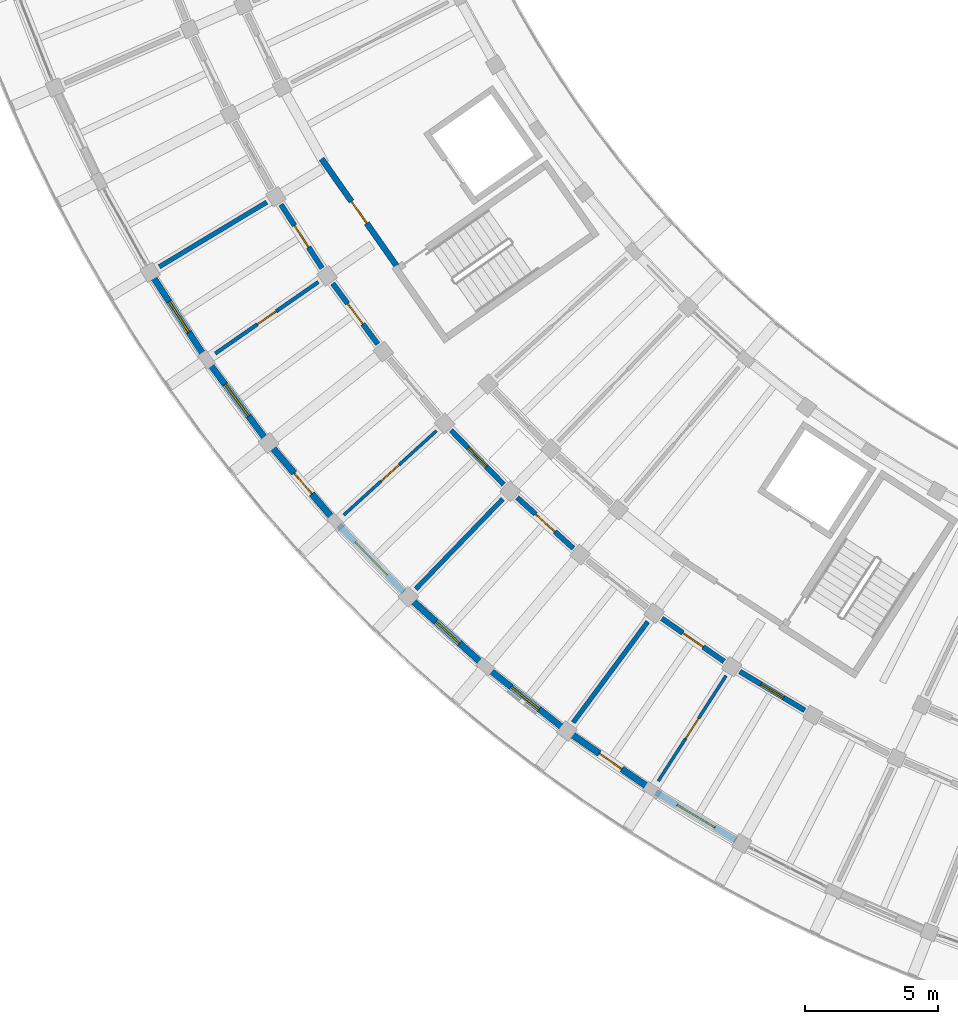
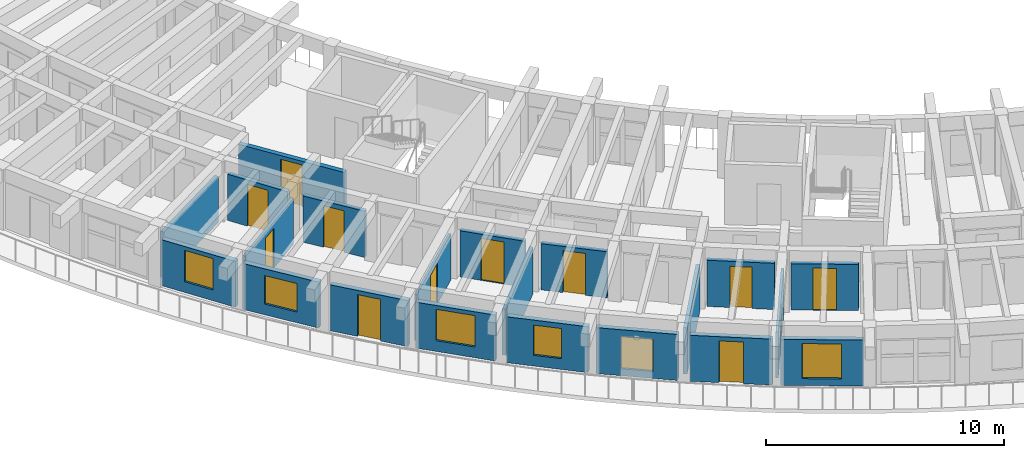
# One storey, part 54 of 96: 21 walls, 12 doors, 6 windows, 18 openings.
"""IFC4 building model written with IfcOpenShell, lengths in metres."""

from ifc_helpers import new_model, si_unit, direction, frame, frame_2d, origin, place, context, subcontext, project, spatial, rectangle, extrude, material, layer, layer_set, type_object, element, fill, save


model = new_model("IFC4")

# Units and contexts
model_context = context("Model", 3, precision=1e-05, world=origin(), true_north=direction((0.0, 1.0)))
body_context = subcontext(model_context, "Body", "Model", "MODEL_VIEW")
ifc_project = project(units=[si_unit("LENGTHUNIT", "METRE"), si_unit("AREAUNIT", "SQUARE_METRE"), si_unit("VOLUMEUNIT", "CUBIC_METRE"), si_unit("PLANEANGLEUNIT", "RADIAN"), si_unit("MASSUNIT", "GRAM", prefix="KILO")], contexts=[model_context])

# Site, building, storey
site_placement = place(None, origin())
site = spatial("IfcSite", under=ifc_project, at=site_placement, CompositionType="ELEMENT")
building_placement = place(site_placement, origin())
building = spatial("IfcBuilding", under=site, at=building_placement, Name="Tanwirah Colonnade Gardens", CompositionType="ELEMENT")
storey_placement = place(building_placement, frame((0.0, 0.0, 12.199951171875)))
storey = spatial("IfcBuildingStorey", under=building, at=storey_placement, Name="L03", CompositionType="ELEMENT", Elevation=12.199951171875)

# Wall, opening, window
ifc_material_1 = material(Name="Limestone architectural precast concrete C40/50", Category="masonry")
ifc_layer_1 = layer(ifc_material_1, 0.2451171875)
ifc_layer_set_1 = layer_set([ifc_layer_1], Name="Limestone architectural precast concrete C40/50")
wall_type_1 = type_object("IfcWallType", Name="EW-PC245", PredefinedType="SOLIDWALL", material=ifc_layer_set_1)
wall_1_placement = place(storey_placement, frame((14.09130859375, 33.61962890625, 0.0), z_axis=(0.0, 0.0, 1.0), x_axis=(0.542833164741, -0.839840553472, 0.0)))
wall_1 = element("IfcWall", 1, at=wall_1_placement, inside=storey, type_object=wall_type_1, Name="Block C L03 OUT Precast Facade Wall 4", PredefinedType="SOLIDWALL", context=body_context, shape_type="SweptSolid", body=[
    extrude(rectangle(XDim=3.48681640625, YDim=0.2451171875, at=frame_2d((1.743408203125, 0.0))), origin(), (0.0, 0.0, 1.0), 2.35498046875),
])
opening_1_placement = place(wall_1_placement, frame((1.0634765625, 0.0, 0.550048828125)))
opening_1 = element("IfcOpeningElement", 2, at=opening_1_placement, cuts=wall_1, Name="Opening WIN-U06", PredefinedType="OPENING", context=body_context, shape_type="SweptSolid", body=[
    extrude(rectangle(XDim=1.360107421875, YDim=1.610107421875, at=frame_2d((0.68017578125, 0.80517578125))), frame((0.0, 0.132568359375, 0.0), z_axis=(0.0, -1.0, 0.0), x_axis=(1.0, 0.0, 0.0)), (0.0, 0.0, 1.0), 0.26513671875),
])
ifc_material_2 = material(Name="Thermally broken bronze aluminium and solar low-E double glazing", Category="aluminium")
window_type_1 = type_object("IfcWindowType", Name="WIN-U06", PartitioningType="DOUBLE_PANEL_VERTICAL", PredefinedType="WINDOW", material=ifc_material_2)
window_1_placement = place(opening_1_placement, origin())
window_1 = element("IfcWindow", 3, at=window_1_placement, inside=storey, type_object=window_type_1, Name="Facade window C-L03-OUT-04", OverallHeight=1.610107421875, OverallWidth=1.360107421875, PartitioningType="SINGLE_PANEL", PredefinedType="WINDOW", context=body_context, shape_type="SweptSolid", body=[
    extrude(rectangle(XDim=1.360107421875, YDim=1.610107421875, at=frame_2d((0.68017578125, 0.80517578125))), frame((0.0, 0.030029296875, 0.0), z_axis=(0.0, -1.0, 0.0), x_axis=(1.0, 0.0, 0.0)), (0.0, 0.0, 1.0), 0.06005859375),
])
fill(opening_1, window_1)

wall_2_placement = place(storey_placement, frame((16.166259765625, 30.42822265625, 0.0), z_axis=(0.0, 0.0, 1.0), x_axis=(0.596611432616, -0.802530247699, 0.0)))
wall_2 = element("IfcWall", 4, at=wall_2_placement, inside=storey, type_object=wall_type_1, Name="Block C L03 OUT Precast Facade Wall 5", PredefinedType="SOLIDWALL", context=body_context, shape_type="SweptSolid", body=[
    extrude(rectangle(XDim=3.48681640625, YDim=0.2451171875, at=frame_2d((1.743408203125, 0.0))), origin(), (0.0, 0.0, 1.0), 2.35498046875),
])
opening_2_placement = place(wall_2_placement, frame((1.00341796875, 0.0, 0.550048828125)))
opening_2 = element("IfcOpeningElement", 5, at=opening_2_placement, cuts=wall_2, Name="Opening WIN-U09", PredefinedType="OPENING", context=body_context, shape_type="SweptSolid", body=[
    extrude(rectangle(XDim=1.47998046875, YDim=1.4599609375, at=frame_2d((0.739990234375, 0.72998046875))), frame((0.0, 0.132568359375, 0.0), z_axis=(0.0, -1.0, 0.0), x_axis=(1.0, 0.0, 0.0)), (0.0, 0.0, 1.0), 0.26513671875),
])
window_type_2 = type_object("IfcWindowType", Name="WIN-U09", PartitioningType="DOUBLE_PANEL_VERTICAL", PredefinedType="WINDOW", material=ifc_material_2)
window_2_placement = place(opening_2_placement, origin())
window_2 = element("IfcWindow", 6, at=window_2_placement, inside=storey, type_object=window_type_2, Name="Facade window C-L03-OUT-05", OverallHeight=1.4599609375, OverallWidth=1.47998046875, PartitioningType="SINGLE_PANEL", PredefinedType="WINDOW", context=body_context, shape_type="SweptSolid", body=[
    extrude(rectangle(XDim=1.47998046875, YDim=1.4599609375, at=frame_2d((0.739990234375, 0.72998046875))), frame((0.0, 0.030029296875, 0.0), z_axis=(0.0, -1.0, 0.0), x_axis=(1.0, 0.0, 0.0)), (0.0, 0.0, 1.0), 0.06005859375),
])
fill(opening_2, window_2)

# Wall, opening, door
wall_3_placement = place(storey_placement, frame((18.5576171875, 27.23876953125, 0.0), z_axis=(0.0, 0.0, 1.0), x_axis=(0.647811002696, -0.761801092665, 0.0)))
wall_3 = element("IfcWall", 7, at=wall_3_placement, inside=storey, type_object=wall_type_1, Name="Block C L03 OUT Precast Facade Wall 6", PredefinedType="SOLIDWALL", context=body_context, shape_type="SweptSolid", body=[
    extrude(rectangle(XDim=3.48681640625, YDim=0.2451171875, at=frame_2d((1.743408203125, 0.0))), origin(), (0.0, 0.0, 1.0), 2.35498046875),
])
opening_3_placement = place(wall_3_placement, frame((1.2333984375, 0.0, 0.0)))
opening_3 = element("IfcOpeningElement", 8, at=opening_3_placement, cuts=wall_3, Name="Opening L03-ED140", PredefinedType="OPENING", context=body_context, shape_type="SweptSolid", body=[
    extrude(rectangle(XDim=1.02001953125, YDim=2.139892578125, at=frame_2d((0.510009765625, 1.06982421875))), frame((0.0, 0.132568359375, 0.0), z_axis=(0.0, -1.0, 0.0), x_axis=(1.0, 0.0, 0.0)), (0.0, 0.0, 1.0), 0.26513671875),
])
ifc_material_3 = material(Name="Bronze aluminium glazed balcony door", Category="aluminium")
door_type_1 = type_object("IfcDoorType", Name="ED-BAL102", OperationType="NOTDEFINED", PredefinedType="DOOR", material=ifc_material_3)
door_1_placement = place(opening_3_placement, origin())
door_1 = element("IfcDoor", 9, at=door_1_placement, inside=storey, type_object=door_type_1, Name="Balcony glazed door L03-ED140", OperationType="SINGLE_SWING_RIGHT", OverallHeight=2.139892578125, OverallWidth=1.02001953125, PredefinedType="DOOR", context=body_context, shape_type="SweptSolid", body=[
    extrude(rectangle(XDim=1.02001953125, YDim=2.139892578125, at=frame_2d((0.510009765625, 1.06982421875))), frame((0.0, 0.02490234375, 0.0), z_axis=(0.0, -1.0, 0.0), x_axis=(1.0, 0.0, 0.0)), (0.0, 0.0, 1.0), 0.050048828125),
])
fill(opening_3, door_1)

# Wall, opening, window
wall_4_placement = place(storey_placement, frame((21.031494140625, 24.345703125, 0.0), z_axis=(0.0, 0.0, 1.0), x_axis=(0.696205978342, -0.717842068788, 0.0)))
wall_4 = element("IfcWall", 10, at=wall_4_placement, inside=storey, type_object=wall_type_1, Name="Block C L03 OUT Precast Facade Wall 7", PredefinedType="SOLIDWALL", context=body_context, shape_type="SweptSolid", body=[
    extrude(rectangle(XDim=3.48681640625, YDim=0.2451171875, at=frame_2d((1.743408203125, 0.0))), origin(), (0.0, 0.0, 1.0), 2.35498046875),
])
opening_4_placement = place(wall_4_placement, frame((0.88330078125, 0.0, 0.550048828125)))
opening_4 = element("IfcOpeningElement", 11, at=opening_4_placement, cuts=wall_4, Name="Opening WIN-U15", PredefinedType="OPENING", context=body_context, shape_type="SweptSolid", body=[
    extrude(rectangle(XDim=1.719970703125, YDim=1.610107421875, at=frame_2d((0.85986328125, 0.80517578125))), frame((0.0, 0.132568359375, 0.0), z_axis=(0.0, -1.0, 0.0), x_axis=(1.0, 0.0, 0.0)), (0.0, 0.0, 1.0), 0.26513671875),
])
window_type_3 = type_object("IfcWindowType", Name="WIN-U15", PartitioningType="DOUBLE_PANEL_VERTICAL", PredefinedType="WINDOW", material=ifc_material_2)
window_3_placement = place(opening_4_placement, origin())
window_3 = element("IfcWindow", 12, at=window_3_placement, inside=storey, type_object=window_type_3, Name="Facade window C-L03-OUT-07", OverallHeight=1.610107421875, OverallWidth=1.719970703125, PartitioningType="SINGLE_PANEL", PredefinedType="WINDOW", context=body_context, shape_type="SweptSolid", body=[
    extrude(rectangle(XDim=1.719970703125, YDim=1.610107421875, at=frame_2d((0.85986328125, 0.80517578125))), frame((0.0, 0.030029296875, 0.0), z_axis=(0.0, -1.0, 0.0), x_axis=(1.0, 0.0, 0.0)), (0.0, 0.0, 1.0), 0.06005859375),
])
fill(opening_4, window_3)

wall_5_placement = place(storey_placement, frame((23.818603515625, 21.49560546875, 0.0), z_axis=(0.0, 0.0, 1.0), x_axis=(0.741648568445, -0.670788641022, 0.0)))
wall_5 = element("IfcWall", 13, at=wall_5_placement, inside=storey, type_object=wall_type_1, Name="Block C L03 OUT Precast Facade Wall 8", PredefinedType="SOLIDWALL", context=body_context, shape_type="SweptSolid", body=[
    extrude(rectangle(XDim=3.48681640625, YDim=0.2451171875, at=frame_2d((1.743408203125, 0.0))), origin(), (0.0, 0.0, 1.0), 2.35498046875),
])
opening_5_placement = place(wall_5_placement, frame((1.143310546875, 0.0, 0.550048828125)))
opening_5 = element("IfcOpeningElement", 14, at=opening_5_placement, cuts=wall_5, Name="Opening WIN-T02", PredefinedType="OPENING", context=body_context, shape_type="SweptSolid", body=[
    extrude(rectangle(XDim=1.199951171875, YDim=1.550048828125, at=frame_2d((0.60009765625, 0.77490234375))), frame((0.0, 0.132568359375, 0.0), z_axis=(0.0, -1.0, 0.0), x_axis=(1.0, 0.0, 0.0)), (0.0, 0.0, 1.0), 0.26513671875),
])
window_type_4 = type_object("IfcWindowType", Name="WIN-T02", PartitioningType="SINGLE_PANEL", PredefinedType="WINDOW", material=ifc_material_2)
window_4_placement = place(opening_5_placement, origin())
window_4 = element("IfcWindow", 15, at=window_4_placement, inside=storey, type_object=window_type_4, Name="Facade window C-L03-OUT-08", OverallHeight=1.550048828125, OverallWidth=1.199951171875, PartitioningType="SINGLE_PANEL", PredefinedType="WINDOW", context=body_context, shape_type="SweptSolid", body=[
    extrude(rectangle(XDim=1.199951171875, YDim=1.550048828125, at=frame_2d((0.60009765625, 0.77490234375))), frame((0.0, 0.030029296875, 0.0), z_axis=(0.0, -1.0, 0.0), x_axis=(1.0, 0.0, 0.0)), (0.0, 0.0, 1.0), 0.06005859375),
])
fill(opening_5, window_4)

wall_6_placement = place(storey_placement, frame((26.648681640625, 18.9501953125, 0.0), z_axis=(0.0, 0.0, 1.0), x_axis=(0.78398760997, -0.620776471376, 0.0)))
wall_6 = element("IfcWall", 16, at=wall_6_placement, inside=storey, type_object=wall_type_1, Name="Block C L03 OUT Precast Facade Wall 9", PredefinedType="SOLIDWALL", context=body_context, shape_type="SweptSolid", body=[
    extrude(rectangle(XDim=3.48681640625, YDim=0.2451171875, at=frame_2d((1.743408203125, 0.0))), origin(), (0.0, 0.0, 1.0), 2.35498046875),
])
opening_6_placement = place(wall_6_placement, frame((1.068359375, 0.0, 0.35009765625)))
opening_6 = element("IfcOpeningElement", 17, at=opening_6_placement, cuts=wall_6, Name="Opening WIN-T05", PredefinedType="OPENING", context=body_context, shape_type="SweptSolid", body=[
    extrude(rectangle(XDim=1.35009765625, YDim=1.64990234375, at=frame_2d((0.675048828125, 0.824951171875))), frame((0.0, 0.132568359375, 0.0), z_axis=(0.0, -1.0, 0.0), x_axis=(1.0, 0.0, 0.0)), (0.0, 0.0, 1.0), 0.26513671875),
])
window_type_5 = type_object("IfcWindowType", Name="WIN-T05", PartitioningType="DOUBLE_PANEL_VERTICAL", PredefinedType="WINDOW", material=ifc_material_2)
window_5_placement = place(opening_6_placement, origin())
window_5 = element("IfcWindow", 18, at=window_5_placement, inside=storey, type_object=window_type_5, Name="Facade window C-L03-OUT-09", OverallHeight=1.64990234375, OverallWidth=1.35009765625, PartitioningType="SINGLE_PANEL", PredefinedType="WINDOW", context=body_context, shape_type="SweptSolid", body=[
    extrude(rectangle(XDim=1.35009765625, YDim=1.64990234375, at=frame_2d((0.675048828125, 0.824951171875))), frame((0.0, 0.030029296875, 0.0), z_axis=(0.0, -1.0, 0.0), x_axis=(1.0, 0.0, 0.0)), (0.0, 0.0, 1.0), 0.06005859375),
])
fill(opening_6, window_5)

# Wall, opening, door
wall_7_placement = place(storey_placement, frame((29.783935546875, 16.48828125, 0.0), z_axis=(0.0, 0.0, 1.0), x_axis=(0.822902356734, -0.568182815017, 0.0)))
wall_7 = element("IfcWall", 19, at=wall_7_placement, inside=storey, type_object=wall_type_1, Name="Block C L03 OUT Precast Facade Wall 10", PredefinedType="SOLIDWALL", context=body_context, shape_type="SweptSolid", body=[
    extrude(rectangle(XDim=3.48681640625, YDim=0.2451171875, at=frame_2d((1.743408203125, 0.0))), origin(), (0.0, 0.0, 1.0), 2.35498046875),
])
opening_7_placement = place(wall_7_placement, frame((1.2333984375, 0.0, 0.0)))
opening_7 = element("IfcOpeningElement", 20, at=opening_7_placement, cuts=wall_7, Name="Opening L03-ED141", PredefinedType="OPENING", context=body_context, shape_type="SweptSolid", body=[
    extrude(rectangle(XDim=1.02001953125, YDim=2.139892578125, at=frame_2d((0.510009765625, 1.06982421875))), frame((0.0, 0.132568359375, 0.0), z_axis=(0.0, -1.0, 0.0), x_axis=(1.0, 0.0, 0.0)), (0.0, 0.0, 1.0), 0.26513671875),
])
door_2_placement = place(opening_7_placement, origin())
door_2 = element("IfcDoor", 21, at=door_2_placement, inside=storey, type_object=door_type_1, Name="Balcony glazed door L03-ED141", OperationType="SINGLE_SWING_RIGHT", OverallHeight=2.139892578125, OverallWidth=1.02001953125, PredefinedType="DOOR", context=body_context, shape_type="SweptSolid", body=[
    extrude(rectangle(XDim=1.02001953125, YDim=2.139892578125, at=frame_2d((0.510009765625, 1.06982421875))), frame((0.0, 0.02490234375, 0.0), z_axis=(0.0, -1.0, 0.0), x_axis=(1.0, 0.0, 0.0)), (0.0, 0.0, 1.0), 0.050048828125),
])
fill(opening_7, door_2)

# Wall, opening, window
wall_8_placement = place(storey_placement, frame((32.92236328125, 14.333984375, 0.0), z_axis=(0.0, 0.0, 1.0), x_axis=(0.858288874148, -0.513166842766, 0.0)))
wall_8 = element("IfcWall", 22, at=wall_8_placement, inside=storey, type_object=wall_type_1, Name="Block C L03 OUT Precast Facade Wall 11", PredefinedType="SOLIDWALL", context=body_context, shape_type="SweptSolid", body=[
    extrude(rectangle(XDim=3.48681640625, YDim=0.2451171875, at=frame_2d((1.743408203125, 0.0))), origin(), (0.0, 0.0, 1.0), 2.35498046875),
])
opening_8_placement = place(wall_8_placement, frame((0.91845703125, 0.0, 0.35009765625)))
opening_8 = element("IfcOpeningElement", 23, at=opening_8_placement, cuts=wall_8, Name="Opening WIN-T11", PredefinedType="OPENING", context=body_context, shape_type="SweptSolid", body=[
    extrude(rectangle(XDim=1.64990234375, YDim=1.800048828125, at=frame_2d((0.824951171875, 0.89990234375))), frame((0.0, 0.132568359375, 0.0), z_axis=(0.0, -1.0, 0.0), x_axis=(1.0, 0.0, 0.0)), (0.0, 0.0, 1.0), 0.26513671875),
])
window_type_6 = type_object("IfcWindowType", Name="WIN-T11", PartitioningType="DOUBLE_PANEL_VERTICAL", PredefinedType="WINDOW", material=ifc_material_2)
window_6_placement = place(opening_8_placement, origin())
window_6 = element("IfcWindow", 24, at=window_6_placement, inside=storey, type_object=window_type_6, Name="Facade window C-L03-OUT-11", OverallHeight=1.800048828125, OverallWidth=1.64990234375, PartitioningType="SINGLE_PANEL", PredefinedType="WINDOW", context=body_context, shape_type="SweptSolid", body=[
    extrude(rectangle(XDim=1.64990234375, YDim=1.800048828125, at=frame_2d((0.824951171875, 0.89990234375))), frame((0.0, 0.030029296875, 0.0), z_axis=(0.0, -1.0, 0.0), x_axis=(1.0, 0.0, 0.0)), (0.0, 0.0, 1.0), 0.06005859375),
])
fill(opening_8, window_6)

# Wall, opening, door
ifc_material_4 = material(Name="Precast concrete C40/50", Category="concrete")
ifc_layer_2 = layer(ifc_material_4, 0.195068359375)
ifc_layer_set_2 = layer_set([ifc_layer_2], Name="Precast concrete C40/50")
wall_type_2 = type_object("IfcWallType", Name="IW-CORR195", PredefinedType="PARTITIONING", material=ifc_layer_set_2)
wall_9_placement = place(storey_placement, frame((18.860107421875, 36.3681640625, 0.0), z_axis=(0.0, 0.0, 1.0), x_axis=(0.542787304957, -0.83987019329, 0.0)))
wall_9 = element("IfcWall", 25, at=wall_9_placement, inside=storey, type_object=wall_type_2, Name="Block C L03 OUT Corridor Wall 4", PredefinedType="PARTITIONING", context=body_context, shape_type="SweptSolid", body=[
    extrude(rectangle(XDim=2.8369140625, YDim=0.195068359375, at=frame_2d((1.41845703125, 0.0))), origin(), (0.0, 0.0, 1.0), 2.3701171875),
])
opening_9_placement = place(wall_9_placement, frame((0.93359375, 0.0, 0.0)))
opening_9 = element("IfcOpeningElement", 26, at=opening_9_placement, cuts=wall_9, Name="Opening L03-AD1401", PredefinedType="OPENING", context=body_context, shape_type="SweptSolid", body=[
    extrude(rectangle(XDim=0.969970703125, YDim=2.14990234375, at=frame_2d((0.48486328125, 1.074951171875))), frame((0.0, 0.107421875, 0.0), z_axis=(0.0, -1.0, 0.0), x_axis=(1.0, 0.0, 0.0)), (0.0, 0.0, 1.0), 0.215087890625),
])
ifc_material_5 = material(Name="Solid oak fire-resisting apartment entrance door")
door_type_2 = type_object("IfcDoorType", Name="ID-FLT097", OperationType="NOTDEFINED", PredefinedType="DOOR", material=ifc_material_5)
door_3_placement = place(opening_9_placement, origin())
door_3 = element("IfcDoor", 27, at=door_3_placement, inside=storey, type_object=door_type_2, Name="Apartment corridor door L03-AD1401", OperationType="SINGLE_SWING_RIGHT", OverallHeight=2.14990234375, OverallWidth=0.969970703125, PredefinedType="DOOR", context=body_context, shape_type="SweptSolid", body=[
    extrude(rectangle(XDim=0.969970703125, YDim=2.14990234375, at=frame_2d((0.48486328125, 1.074951171875))), frame((0.0, 0.02490234375, 0.0), z_axis=(0.0, -1.0, 0.0), x_axis=(1.0, 0.0, 0.0)), (0.0, 0.0, 1.0), 0.050048828125),
])
fill(opening_9, door_3)

wall_10_placement = place(storey_placement, frame((20.798828125, 33.410888671875, 0.0), z_axis=(0.0, 0.0, 1.0), x_axis=(0.596552136601, -0.802574325727, 0.0)))
wall_10 = element("IfcWall", 28, at=wall_10_placement, inside=storey, type_object=wall_type_2, Name="Block C L03 OUT Corridor Wall 5", PredefinedType="PARTITIONING", context=body_context, shape_type="SweptSolid", body=[
    extrude(rectangle(XDim=2.8369140625, YDim=0.195068359375, at=frame_2d((1.41845703125, 0.0))), origin(), (0.0, 0.0, 1.0), 2.3701171875),
])
opening_10_placement = place(wall_10_placement, frame((0.943603515625, 0.0, 0.0)))
opening_10 = element("IfcOpeningElement", 29, at=opening_10_placement, cuts=wall_10, Name="Opening L03-AD1403", PredefinedType="OPENING", context=body_context, shape_type="SweptSolid", body=[
    extrude(rectangle(XDim=0.949951171875, YDim=2.1298828125, at=frame_2d((0.47509765625, 1.06494140625))), frame((0.0, 0.107421875, 0.0), z_axis=(0.0, -1.0, 0.0), x_axis=(1.0, 0.0, 0.0)), (0.0, 0.0, 1.0), 0.215087890625),
])
door_type_3 = type_object("IfcDoorType", Name="ID-FLT095", OperationType="NOTDEFINED", PredefinedType="DOOR", material=ifc_material_5)
door_4_placement = place(opening_10_placement, origin())
door_4 = element("IfcDoor", 30, at=door_4_placement, inside=storey, type_object=door_type_3, Name="Apartment corridor door L03-AD1403", OperationType="SINGLE_SWING_LEFT", OverallHeight=2.1298828125, OverallWidth=0.949951171875, PredefinedType="DOOR", context=body_context, shape_type="SweptSolid", body=[
    extrude(rectangle(XDim=0.949951171875, YDim=2.1298828125, at=frame_2d((0.47509765625, 1.06494140625))), frame((0.0, 0.02490234375, 0.0), z_axis=(0.0, -1.0, 0.0), x_axis=(1.0, 0.0, 0.0)), (0.0, 0.0, 1.0), 0.050048828125),
])
fill(opening_10, door_4)

wall_11_placement = place(storey_placement, frame((25.23486328125, 27.9072265625, 0.0), z_axis=(0.0, 0.0, 1.0), x_axis=(0.696223786753, -0.717824796701, 0.0)))
wall_11 = element("IfcWall", 31, at=wall_11_placement, inside=storey, type_object=wall_type_2, Name="Block C L03 OUT Corridor Wall 7", PredefinedType="PARTITIONING", context=body_context, shape_type="SweptSolid", body=[
    extrude(rectangle(XDim=2.8369140625, YDim=0.195068359375, at=frame_2d((1.41845703125, 0.0))), origin(), (0.0, 0.0, 1.0), 2.3701171875),
])
opening_11_placement = place(wall_11_placement, frame((0.923583984375, 0.0, 0.0)))
opening_11 = element("IfcOpeningElement", 32, at=opening_11_placement, cuts=wall_11, Name="Opening L03-AD1407", PredefinedType="OPENING", context=body_context, shape_type="SweptSolid", body=[
    extrude(rectangle(XDim=0.989990234375, YDim=2.159912109375, at=frame_2d((0.4951171875, 1.080078125))), frame((0.0, 0.107421875, 0.0), z_axis=(0.0, -1.0, 0.0), x_axis=(1.0, 0.0, 0.0)), (0.0, 0.0, 1.0), 0.215087890625),
])
door_type_4 = type_object("IfcDoorType", Name="ID-FLT099", OperationType="NOTDEFINED", PredefinedType="DOOR", material=ifc_material_5)
door_5_placement = place(opening_11_placement, origin())
door_5 = element("IfcDoor", 33, at=door_5_placement, inside=storey, type_object=door_type_4, Name="Apartment corridor door L03-AD1407", OperationType="SINGLE_SWING_LEFT", OverallHeight=2.159912109375, OverallWidth=0.989990234375, PredefinedType="DOOR", context=body_context, shape_type="SweptSolid", body=[
    extrude(rectangle(XDim=0.989990234375, YDim=2.159912109375, at=frame_2d((0.4951171875, 1.080078125))), frame((0.0, 0.02490234375, 0.0), z_axis=(0.0, -1.0, 0.0), x_axis=(1.0, 0.0, 0.0)), (0.0, 0.0, 1.0), 0.050048828125),
])
fill(opening_11, door_5)

wall_12_placement = place(storey_placement, frame((27.71337890625, 25.385009765625, 0.0), z_axis=(0.0, 0.0, 1.0), x_axis=(0.741631592147, -0.670807410163, 0.0)))
wall_12 = element("IfcWall", 34, at=wall_12_placement, inside=storey, type_object=wall_type_2, Name="Block C L03 OUT Corridor Wall 8", PredefinedType="PARTITIONING", context=body_context, shape_type="SweptSolid", body=[
    extrude(rectangle(XDim=2.8369140625, YDim=0.195068359375, at=frame_2d((1.41845703125, 0.0))), origin(), (0.0, 0.0, 1.0), 2.3701171875),
])
opening_12_placement = place(wall_12_placement, frame((0.93359375, 0.0, 0.0)))
opening_12 = element("IfcOpeningElement", 35, at=opening_12_placement, cuts=wall_12, Name="Opening L03-AD1410", PredefinedType="OPENING", context=body_context, shape_type="SweptSolid", body=[
    extrude(rectangle(XDim=0.969970703125, YDim=2.14990234375, at=frame_2d((0.48486328125, 1.074951171875))), frame((0.0, 0.107421875, 0.0), z_axis=(0.0, -1.0, 0.0), x_axis=(1.0, 0.0, 0.0)), (0.0, 0.0, 1.0), 0.215087890625),
])
door_6_placement = place(opening_12_placement, origin())
door_6 = element("IfcDoor", 36, at=door_6_placement, inside=storey, type_object=door_type_2, Name="Apartment corridor door L03-AD1410", OperationType="SINGLE_SWING_RIGHT", OverallHeight=2.14990234375, OverallWidth=0.969970703125, PredefinedType="DOOR", context=body_context, shape_type="SweptSolid", body=[
    extrude(rectangle(XDim=0.969970703125, YDim=2.14990234375, at=frame_2d((0.48486328125, 1.074951171875))), frame((0.0, 0.02490234375, 0.0), z_axis=(0.0, -1.0, 0.0), x_axis=(1.0, 0.0, 0.0)), (0.0, 0.0, 1.0), 0.050048828125),
])
fill(opening_12, door_6)

wall_13_placement = place(storey_placement, frame((33.137939453125, 20.852783203125, 0.0), z_axis=(0.0, 0.0, 1.0), x_axis=(0.822870075235, -0.568229565653, 0.0)))
wall_13 = element("IfcWall", 37, at=wall_13_placement, inside=storey, type_object=wall_type_2, Name="Block C L03 OUT Corridor Wall 10", PredefinedType="PARTITIONING", context=body_context, shape_type="SweptSolid", body=[
    extrude(rectangle(XDim=2.8369140625, YDim=0.195068359375, at=frame_2d((1.41845703125, 0.0))), origin(), (0.0, 0.0, 1.0), 2.3701171875),
])
opening_13_placement = place(wall_13_placement, frame((0.95361328125, 0.0, 0.0)))
opening_13 = element("IfcOpeningElement", 38, at=opening_13_placement, cuts=wall_13, Name="Opening L03-AD1414", PredefinedType="OPENING", context=body_context, shape_type="SweptSolid", body=[
    extrude(rectangle(XDim=0.929931640625, YDim=2.1201171875, at=frame_2d((0.46484375, 1.06005859375))), frame((0.0, 0.107421875, 0.0), z_axis=(0.0, -1.0, 0.0), x_axis=(1.0, 0.0, 0.0)), (0.0, 0.0, 1.0), 0.215087890625),
])
door_type_5 = type_object("IfcDoorType", Name="ID-FLT093", OperationType="NOTDEFINED", PredefinedType="DOOR", material=ifc_material_5)
door_7_placement = place(opening_13_placement, origin())
door_7 = element("IfcDoor", 39, at=door_7_placement, inside=storey, type_object=door_type_5, Name="Apartment corridor door L03-AD1414", OperationType="SINGLE_SWING_RIGHT", OverallHeight=2.1201171875, OverallWidth=0.929931640625, PredefinedType="DOOR", context=body_context, shape_type="SweptSolid", body=[
    extrude(rectangle(XDim=0.929931640625, YDim=2.1201171875, at=frame_2d((0.46484375, 1.06005859375))), frame((0.0, 0.02490234375, 0.0), z_axis=(0.0, -1.0, 0.0), x_axis=(1.0, 0.0, 0.0)), (0.0, 0.0, 1.0), 0.050048828125),
])
fill(opening_13, door_7)

wall_14_placement = place(storey_placement, frame((36.060791015625, 18.8623046875, 0.0), z_axis=(0.0, 0.0, 1.0), x_axis=(0.858281647443, -0.51317892948, 0.0)))
wall_14 = element("IfcWall", 40, at=wall_14_placement, inside=storey, type_object=wall_type_2, Name="Block C L03 OUT Corridor Wall 11", PredefinedType="PARTITIONING", context=body_context, shape_type="SweptSolid", body=[
    extrude(rectangle(XDim=2.8369140625, YDim=0.195068359375, at=frame_2d((1.41845703125, 0.0))), origin(), (0.0, 0.0, 1.0), 2.3701171875),
])
opening_14_placement = place(wall_14_placement, frame((0.923583984375, 0.0, 0.0)))
opening_14 = element("IfcOpeningElement", 41, at=opening_14_placement, cuts=wall_14, Name="Opening L03-AD1416", PredefinedType="OPENING", context=body_context, shape_type="SweptSolid", body=[
    extrude(rectangle(XDim=0.989990234375, YDim=2.159912109375, at=frame_2d((0.4951171875, 1.080078125))), frame((0.0, 0.107421875, 0.0), z_axis=(0.0, -1.0, 0.0), x_axis=(1.0, 0.0, 0.0)), (0.0, 0.0, 1.0), 0.215087890625),
])
door_8_placement = place(opening_14_placement, origin())
door_8 = element("IfcDoor", 42, at=door_8_placement, inside=storey, type_object=door_type_4, Name="Apartment corridor door L03-AD1416", OperationType="SINGLE_SWING_LEFT", OverallHeight=2.159912109375, OverallWidth=0.989990234375, PredefinedType="DOOR", context=body_context, shape_type="SweptSolid", body=[
    extrude(rectangle(XDim=0.989990234375, YDim=2.159912109375, at=frame_2d((0.4951171875, 1.080078125))), frame((0.0, 0.02490234375, 0.0), z_axis=(0.0, -1.0, 0.0), x_axis=(1.0, 0.0, 0.0)), (0.0, 0.0, 1.0), 0.050048828125),
])
fill(opening_14, door_8)

# Walls
ifc_layer_3 = layer(ifc_material_4, 0.175048828125)
ifc_layer_set_3 = layer_set([ifc_layer_3], Name="Precast concrete C40/50")
wall_type_3 = type_object("IfcWallType", Name="IW-DEM175", PredefinedType="PARTITIONING", material=ifc_layer_set_3)
for number, where, z_axis, x_axis, name in (
    (43, (18.3271484375, 36.456298828125, 0.0), (0.0, 0.0, 1.0), (-0.857139805444, -0.515083831937, 0.0), "Block C L03 Radial Partition 3"),
    (44, (27.17578125, 25.33203125, 0.0), (0.0, 0.0, 1.0), (-0.69466218314, -0.719336118456, 0.0), "Block C L03 Radial Partition 7"),
    (45, (32.61181640625, 20.72998046875, 0.0), (0.0, 0.0, 1.0), (-0.59482622273, -0.803854318116, 0.0), "Block C L03 Radial Partition 9"),
):
    element("IfcWall", number, at=place(storey_placement, frame(where, z_axis=z_axis, x_axis=x_axis)), inside=storey, type_object=wall_type_3, Name=name, PredefinedType="PARTITIONING", context=body_context, shape_type="SweptSolid", body=[
        extrude(rectangle(XDim=4.699951171875, YDim=0.175048828125, at=frame_2d((2.35009765625, 0.0))), origin(), (0.0, 0.0, 1.0), 2.3701171875),
    ])

# Wall, opening, door
ifc_material_6 = material(Name="Autoclaved aerated masonry blockwork", Category="masonry")
ifc_layer_4 = layer(ifc_material_6, 0.219970703125)
ifc_layer_set_4 = layer_set([ifc_layer_4], Name="Autoclaved aerated masonry blockwork")
wall_type_4 = type_object("IfcWallType", Name="IW-FFL220", PredefinedType="PARTITIONING", material=ifc_layer_set_4)
wall_15_placement = place(storey_placement, frame((23.19482421875, 34.06787109375, 0.0), z_axis=(0.0, 0.0, 1.0), x_axis=(-0.573572687386, 0.819154669329, 0.0)))
wall_15 = element("IfcWall", 46, at=wall_15_placement, inside=storey, type_object=wall_type_4, Name="CORE-C1 L03 Enclosed Lobby Fire Wall", PredefinedType="PARTITIONING", context=body_context, shape_type="SweptSolid", body=[
    extrude(rectangle(XDim=4.900146484375, YDim=0.219970703125, at=frame_2d((2.4501953125, 0.0))), origin(), (0.0, 0.0, 1.0), 2.340087890625),
])
opening_15_placement = place(wall_15_placement, frame((1.949951171875, 0.0, 0.0)))
opening_15 = element("IfcOpeningElement", 47, at=opening_15_placement, cuts=wall_15, Name="Opening L03-LD137", PredefinedType="OPENING", context=body_context, shape_type="SweptSolid", body=[
    extrude(rectangle(XDim=1.0, YDim=2.14990234375, at=frame_2d((0.5, 1.074951171875))), frame((0.0, 0.119873046875, 0.0), z_axis=(0.0, -1.0, 0.0), x_axis=(1.0, 0.0, 0.0)), (0.0, 0.0, 1.0), 0.239990234375),
])
ifc_material_7 = material(Name="Acoustic fire-resisting lobby door")
door_type_6 = type_object("IfcDoorType", Name="ID-FFL100", OperationType="NOTDEFINED", PredefinedType="DOOR", material=ifc_material_7)
door_9_placement = place(opening_15_placement, origin())
door_9 = element("IfcDoor", 48, at=door_9_placement, inside=storey, type_object=door_type_6, Name="CORE-C1 L03 Lobby Fire Door L03-LD137", OperationType="SINGLE_SWING_RIGHT", OverallHeight=2.14990234375, OverallWidth=1.0, PredefinedType="DOOR", context=body_context, shape_type="SweptSolid", body=[
    extrude(rectangle(XDim=1.0, YDim=2.14990234375, at=frame_2d((0.5, 1.074951171875))), frame((0.0, 0.02490234375, 0.0), z_axis=(0.0, -1.0, 0.0), x_axis=(1.0, 0.0, 0.0)), (0.0, 0.0, 1.0), 0.050048828125),
])
fill(opening_15, door_9)

ifc_material_8 = material(Name="Acoustic gypsum stud partition")
ifc_layer_5 = layer(ifc_material_8, 0.114990234375)
ifc_layer_set_5 = layer_set([ifc_layer_5], Name="Acoustic gypsum stud partition")
wall_type_5 = type_object("IfcWallType", Name="IW-INT115", PredefinedType="PARTITIONING", material=ifc_layer_set_5)
wall_16_placement = place(storey_placement, frame((24.695068359375, 27.8896484375, 0.0), z_axis=(0.0, 0.0, 1.0), x_axis=(-0.740212663782, -0.672372822456, 0.0)))
wall_16 = element("IfcWall", 49, at=wall_16_placement, inside=storey, type_object=wall_type_5, Name="Block C L03 Radial Partition 6", PredefinedType="PARTITIONING", context=body_context, shape_type="SweptSolid", body=[
    extrude(rectangle(XDim=4.699951171875, YDim=0.114990234375, at=frame_2d((2.35009765625, 0.0))), origin(), (0.0, 0.0, 1.0), 2.3701171875),
])
opening_16_placement = place(wall_16_placement, frame((1.89501953125, 0.0, 0.0)))
opening_16 = element("IfcOpeningElement", 50, at=opening_16_placement, cuts=wall_16, Name="Opening L03-RD1405", PredefinedType="OPENING", context=body_context, shape_type="SweptSolid", body=[
    extrude(rectangle(XDim=0.909912109375, YDim=2.10009765625, at=frame_2d((0.455078125, 1.050048828125))), frame((0.0, 0.0673828125, 0.0), z_axis=(0.0, -1.0, 0.0), x_axis=(1.0, 0.0, 0.0)), (0.0, 0.0, 1.0), 0.135009765625),
])
ifc_material_9 = material(Name="Painted hardwood internal room door", Category="wood")
door_type_7 = type_object("IfcDoorType", Name="ID-RM091", OperationType="NOTDEFINED", PredefinedType="DOOR", material=ifc_material_9)
door_10_placement = place(opening_16_placement, origin())
door_10 = element("IfcDoor", 51, at=door_10_placement, inside=storey, type_object=door_type_7, Name="Internal apartment door L03-RD1405", OperationType="SINGLE_SWING_RIGHT", OverallHeight=2.10009765625, OverallWidth=0.909912109375, PredefinedType="DOOR", context=body_context, shape_type="SweptSolid", body=[
    extrude(rectangle(XDim=0.909912109375, YDim=2.10009765625, at=frame_2d((0.455078125, 1.050048828125))), frame((0.0, 0.02490234375, 0.0), z_axis=(0.0, -1.0, 0.0), x_axis=(1.0, 0.0, 0.0)), (0.0, 0.0, 1.0), 0.050048828125),
])
fill(opening_16, door_10)

wall_17_placement = place(storey_placement, frame((35.5439453125, 18.705322265625, 0.0), z_axis=(0.0, 0.0, 1.0), x_axis=(-0.540959731567, -0.84104849374, 0.0)))
wall_17 = element("IfcWall", 52, at=wall_17_placement, inside=storey, type_object=wall_type_5, Name="Block C L03 Radial Partition 10", PredefinedType="PARTITIONING", context=body_context, shape_type="SweptSolid", body=[
    extrude(rectangle(XDim=4.699951171875, YDim=0.114990234375, at=frame_2d((2.35009765625, 0.0))), origin(), (0.0, 0.0, 1.0), 2.3701171875),
])
opening_17_placement = place(wall_17_placement, frame((1.905029296875, 0.0, 0.0)))
opening_17 = element("IfcOpeningElement", 53, at=opening_17_placement, cuts=wall_17, Name="Opening L03-RD1415", PredefinedType="OPENING", context=body_context, shape_type="SweptSolid", body=[
    extrude(rectangle(XDim=0.889892578125, YDim=2.10009765625, at=frame_2d((0.44482421875, 1.050048828125))), frame((0.0, 0.0673828125, 0.0), z_axis=(0.0, -1.0, 0.0), x_axis=(1.0, 0.0, 0.0)), (0.0, 0.0, 1.0), 0.135009765625),
])
ifc_material_10 = material(Name="Painted hardwood bedroom door", Category="wood")
door_type_8 = type_object("IfcDoorType", Name="ID-RM089", OperationType="NOTDEFINED", PredefinedType="DOOR", material=ifc_material_10)
door_11_placement = place(opening_17_placement, origin())
door_11 = element("IfcDoor", 54, at=door_11_placement, inside=storey, type_object=door_type_8, Name="Internal apartment door L03-RD1415", OperationType="SINGLE_SWING_RIGHT", OverallHeight=2.10009765625, OverallWidth=0.889892578125, PredefinedType="DOOR", context=body_context, shape_type="SweptSolid", body=[
    extrude(rectangle(XDim=0.889892578125, YDim=2.10009765625, at=frame_2d((0.44482421875, 1.050048828125))), frame((0.0, 0.02490234375, 0.0), z_axis=(0.0, -1.0, 0.0), x_axis=(1.0, 0.0, 0.0)), (0.0, 0.0, 1.0), 0.050048828125),
])
fill(opening_17, door_11)

ifc_material_11 = material(Name="Water-resistant acoustic plumbing partition")
ifc_layer_6 = layer(ifc_material_11, 0.139892578125)
ifc_layer_set_6 = layer_set([ifc_layer_6], Name="Water-resistant acoustic plumbing partition")
wall_type_6 = type_object("IfcWallType", Name="IW-WET140", PredefinedType="PLUMBINGWALL", material=ifc_layer_set_6)
wall_18_placement = place(storey_placement, frame((20.26123046875, 33.463623046875, 0.0), z_axis=(0.0, 0.0, 1.0), x_axis=(-0.821638260647, -0.570009270663, 0.0)))
wall_18 = element("IfcWall", 55, at=wall_18_placement, inside=storey, type_object=wall_type_6, Name="Block C L03 Radial Partition 4", PredefinedType="PLUMBINGWALL", context=body_context, shape_type="SweptSolid", body=[
    extrude(rectangle(XDim=4.699951171875, YDim=0.139892578125, at=frame_2d((2.35009765625, 0.0))), origin(), (0.0, 0.0, 1.0), 2.3701171875),
])
opening_18_placement = place(wall_18_placement, frame((1.925048828125, 0.0, 0.0)))
opening_18 = element("IfcOpeningElement", 56, at=opening_18_placement, cuts=wall_18, Name="Opening L03-RD1402", PredefinedType="OPENING", context=body_context, shape_type="SweptSolid", body=[
    extrude(rectangle(XDim=0.85009765625, YDim=2.050048828125, at=frame_2d((0.425048828125, 1.02490234375))), frame((0.0, 0.079833984375, 0.0), z_axis=(0.0, -1.0, 0.0), x_axis=(1.0, 0.0, 0.0)), (0.0, 0.0, 1.0), 0.159912109375),
])
ifc_material_12 = material(Name="Moisture-resistant en-suite door")
door_type_9 = type_object("IfcDoorType", Name="ID-WET085", OperationType="NOTDEFINED", PredefinedType="DOOR", material=ifc_material_12)
door_12_placement = place(opening_18_placement, origin())
door_12 = element("IfcDoor", 57, at=door_12_placement, inside=storey, type_object=door_type_9, Name="Internal apartment door L03-RD1402", OperationType="SINGLE_SWING_RIGHT", OverallHeight=2.050048828125, OverallWidth=0.85009765625, PredefinedType="DOOR", context=body_context, shape_type="SweptSolid", body=[
    extrude(rectangle(XDim=0.85009765625, YDim=2.050048828125, at=frame_2d((0.425048828125, 1.02490234375))), frame((0.0, 0.02490234375, 0.0), z_axis=(0.0, -1.0, 0.0), x_axis=(1.0, 0.0, 0.0)), (0.0, 0.0, 1.0), 0.050048828125),
])
fill(opening_18, door_12)

save(model, "model.ifc")
